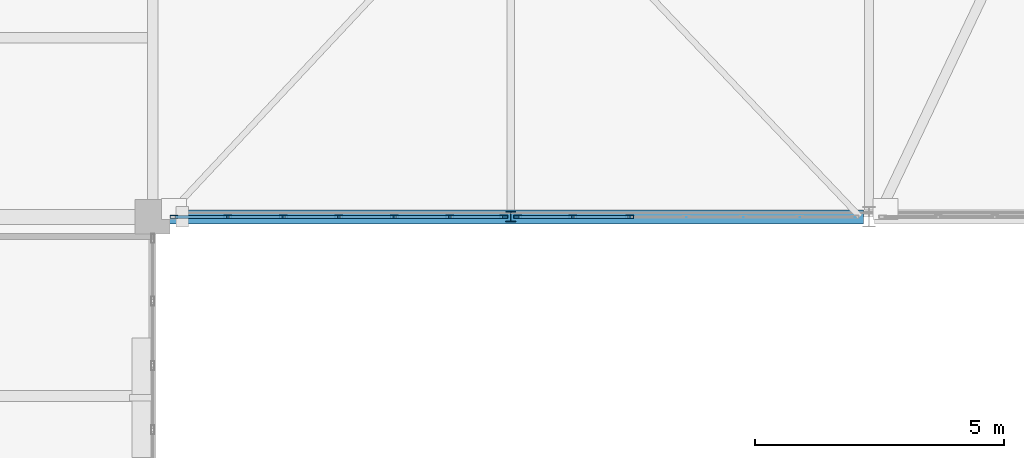
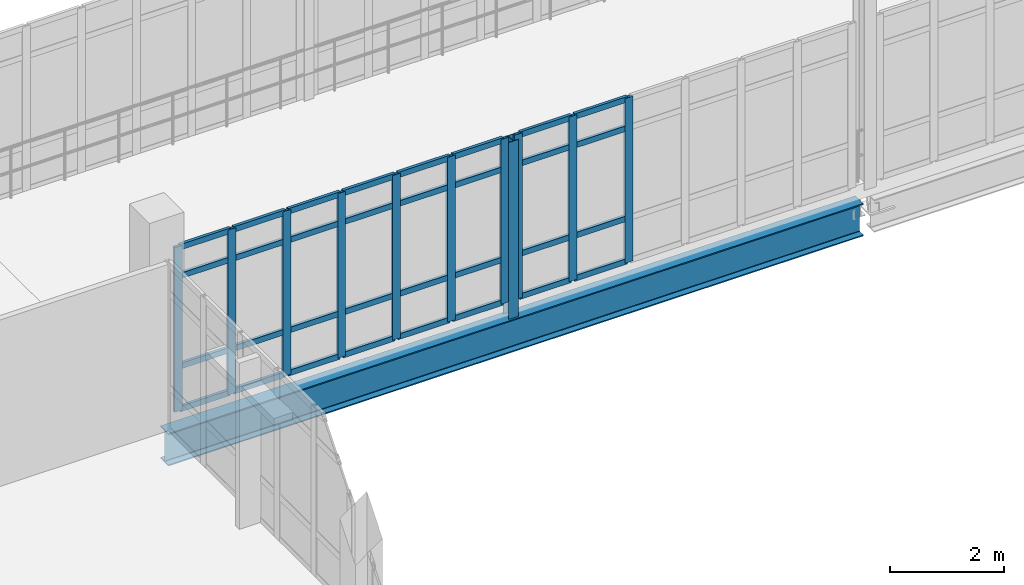
# One storey, part 14 of 116: 43 members, 1 beam, 2 elements without a shape of their own.
"""IFC4 building model written with IfcOpenShell, lengths in metres."""

from ifc_helpers import new_model, si_unit, direction, frame, origin, origin_2d, place, context, subcontext, project, spatial, hollow_rectangle, i_section, extrude, material, material_profile, profile_set, type_object, element, aggregate, save


model = new_model("IFC4")

# Units and contexts
model_context = context("Model", 3, precision=1e-05, world=origin(), true_north=direction((0.0, 1.0)))
body_context = subcontext(model_context, "Body", "Model", "MODEL_VIEW")
ifc_project = project(units=[si_unit("LENGTHUNIT", "METRE"), si_unit("AREAUNIT", "SQUARE_METRE"), si_unit("VOLUMEUNIT", "CUBIC_METRE"), si_unit("PLANEANGLEUNIT", "RADIAN"), si_unit("MASSUNIT", "GRAM", prefix="KILO")], contexts=[model_context])

# Site, building, storey
site_placement = place(None, origin())
site = spatial("IfcSite", under=ifc_project, at=site_placement, CompositionType="ELEMENT")
building_placement = place(site_placement, origin())
building = spatial("IfcBuilding", under=site, at=building_placement, Name="Kalluvel Institute of Natural Sciences", CompositionType="ELEMENT")
storey_placement = place(building_placement, frame((0.0, 0.0, 14.39990234375)))
storey = spatial("IfcBuildingStorey", under=building, at=storey_placement, Name="L03", CompositionType="ELEMENT", Elevation=14.39990234375)

# Beam
ifc_material_1 = material(Name="Steel E350 Grade 350", Category="steel")
ifc_material_profile_1 = material_profile(ifc_material_1, i_section(OverallWidth=0.280029296875, OverallDepth=0.699951171875, WebThickness=0.013916015625, FlangeThickness=0.02392578125, FilletRadius=0.01611328125, at=origin_2d()), Name="WPG 700x280")
ifc_profile_set_1 = profile_set([ifc_material_profile_1], Name="Steel E350 Grade 350")
beam_type = type_object("IfcBeamType", Name="BM-WPG700", PredefinedType="BEAM", material=ifc_profile_set_1)
beam_placement = place(storey_placement, frame((35.760009765625, 28.39990234375, -0.669921875), z_axis=(1.0, 0.0, 0.0), x_axis=(0.0, 1.0, 0.0)))
element("IfcBeam", 1, at=beam_placement, inside=storey, type_object=beam_type, Name="L03 link bridge main plate-girder chord 6", PredefinedType="BEAM", context=body_context, shape_type="SweptSolid", body=[
    extrude(i_section(OverallWidth=0.280029296875, OverallDepth=0.699951171875, WebThickness=0.013916015625, FlangeThickness=0.02392578125, FilletRadius=0.01611328125, at=origin_2d()), origin(), (0.0, 0.0, 1.0), 14.1298828125),
])

# Curtain wall, members
ifc_material_2 = material(Name="Aluminium AW-6063 T6", Category="aluminium")
curtain_wall_type = type_object("IfcCurtainWallType", Name="CW-BRG-45", PredefinedType="USERDEFINED", material=ifc_material_2)
curtain_wall_1_placement = place(storey_placement, origin())
curtain_wall_1 = element("IfcCurtainWall", 2, at=curtain_wall_1_placement, inside=storey, type_object=curtain_wall_type, Name="L03 Gothic lancet curtain wall CWA-L03-X360-Y284", ObjectType="UNITISED LANCET FACADE", PredefinedType="USERDEFINED")
ifc_material_profile_2 = material_profile(ifc_material_2, hollow_rectangle(XDim=0.06005859375, YDim=0.159912109375, WallThickness=0.00390625, at=origin_2d()), Name="CWM 60x160")
ifc_profile_set_2 = profile_set([ifc_material_profile_2], Name="Aluminium AW-6063 T6")
member_type_1 = type_object("IfcMemberType", Name="CWM-60x160", PredefinedType="MULLION", material=ifc_profile_set_2)
member_1_placement = place(storey_placement, frame((36.030029296875, 28.39990234375, 0.0), z_axis=(0.0, 0.0, 1.0), x_axis=(0.0, 1.0, 0.0)))
member_1 = element("IfcMember", 3, at=member_1_placement, type_object=member_type_1, Name="CW-07 mullion 1", PredefinedType="MULLION", context=body_context, shape_type="SweptSolid", body=[
    extrude(hollow_rectangle(XDim=0.06005859375, YDim=0.159912109375, WallThickness=0.00390625, at=origin_2d()), origin(), (0.0, 0.0, 1.0), 3.5400390625),
])
member_2_placement = place(storey_placement, frame((37.114990234375, 28.39990234375, 0.0), z_axis=(0.0, 0.0, 1.0), x_axis=(0.0, 1.0, 0.0)))
member_2 = element("IfcMember", 4, at=member_2_placement, type_object=member_type_1, Name="CW-07 mullion 2", PredefinedType="MULLION", context=body_context, shape_type="SweptSolid", body=[
    extrude(hollow_rectangle(XDim=0.06005859375, YDim=0.159912109375, WallThickness=0.00390625, at=origin_2d()), origin(), (0.0, 0.0, 1.0), 3.5400390625),
])
member_3_placement = place(storey_placement, frame((38.22998046875, 28.39990234375, 0.0), z_axis=(0.0, 0.0, 1.0), x_axis=(0.0, 1.0, 0.0)))
member_3 = element("IfcMember", 5, at=member_3_placement, type_object=member_type_1, Name="CW-07 mullion 3", PredefinedType="MULLION", context=body_context, shape_type="SweptSolid", body=[
    extrude(hollow_rectangle(XDim=0.06005859375, YDim=0.159912109375, WallThickness=0.00390625, at=origin_2d()), origin(), (0.0, 0.0, 1.0), 3.5400390625),
])
member_4_placement = place(storey_placement, frame((39.344970703125, 28.39990234375, 0.0), z_axis=(0.0, 0.0, 1.0), x_axis=(0.0, 1.0, 0.0)))
member_4 = element("IfcMember", 6, at=member_4_placement, type_object=member_type_1, Name="CW-07 mullion 4", PredefinedType="MULLION", context=body_context, shape_type="SweptSolid", body=[
    extrude(hollow_rectangle(XDim=0.06005859375, YDim=0.159912109375, WallThickness=0.00390625, at=origin_2d()), origin(), (0.0, 0.0, 1.0), 3.5400390625),
])
member_5_placement = place(storey_placement, frame((40.4599609375, 28.39990234375, 0.0), z_axis=(0.0, 0.0, 1.0), x_axis=(0.0, 1.0, 0.0)))
member_5 = element("IfcMember", 7, at=member_5_placement, type_object=member_type_1, Name="CW-07 mullion 5", PredefinedType="MULLION", context=body_context, shape_type="SweptSolid", body=[
    extrude(hollow_rectangle(XDim=0.06005859375, YDim=0.159912109375, WallThickness=0.00390625, at=origin_2d()), origin(), (0.0, 0.0, 1.0), 3.5400390625),
])
member_6_placement = place(storey_placement, frame((41.574951171875, 28.39990234375, 0.0), z_axis=(0.0, 0.0, 1.0), x_axis=(0.0, 1.0, 0.0)))
member_6 = element("IfcMember", 8, at=member_6_placement, type_object=member_type_1, Name="CW-07 mullion 6", PredefinedType="MULLION", context=body_context, shape_type="SweptSolid", body=[
    extrude(hollow_rectangle(XDim=0.06005859375, YDim=0.159912109375, WallThickness=0.00390625, at=origin_2d()), origin(), (0.0, 0.0, 1.0), 3.5400390625),
])
member_7_placement = place(storey_placement, frame((42.659912109375, 28.39990234375, 0.0), z_axis=(0.0, 0.0, 1.0), x_axis=(0.0, 1.0, 0.0)))
member_7 = element("IfcMember", 9, at=member_7_placement, type_object=member_type_1, Name="CW-07 mullion 7", PredefinedType="MULLION", context=body_context, shape_type="SweptSolid", body=[
    extrude(hollow_rectangle(XDim=0.06005859375, YDim=0.159912109375, WallThickness=0.00390625, at=origin_2d()), origin(), (0.0, 0.0, 1.0), 3.5400390625),
])

curtain_wall_2_placement = place(storey_placement, origin())
curtain_wall_2 = element("IfcCurtainWall", 10, at=curtain_wall_2_placement, inside=storey, type_object=curtain_wall_type, Name="L03 Gothic lancet curtain wall CWA-L03-X429-Y284", ObjectType="UNITISED LANCET FACADE", PredefinedType="USERDEFINED")
member_8_placement = place(storey_placement, frame((42.93994140625, 28.39990234375, 0.0), z_axis=(0.0, 0.0, 1.0), x_axis=(0.0, 1.0, 0.0)))
member_8 = element("IfcMember", 11, at=member_8_placement, type_object=member_type_1, Name="CW-07 mullion 1", PredefinedType="MULLION", context=body_context, shape_type="SweptSolid", body=[
    extrude(hollow_rectangle(XDim=0.06005859375, YDim=0.159912109375, WallThickness=0.00390625, at=origin_2d()), origin(), (0.0, 0.0, 1.0), 3.5400390625),
])
member_9_placement = place(storey_placement, frame((44.050048828125, 28.39990234375, 0.0), z_axis=(0.0, 0.0, 1.0), x_axis=(0.0, 1.0, 0.0)))
member_9 = element("IfcMember", 12, at=member_9_placement, type_object=member_type_1, Name="CW-07 mullion 2", PredefinedType="MULLION", context=body_context, shape_type="SweptSolid", body=[
    extrude(hollow_rectangle(XDim=0.06005859375, YDim=0.159912109375, WallThickness=0.00390625, at=origin_2d()), origin(), (0.0, 0.0, 1.0), 3.5400390625),
])
member_10_placement = place(storey_placement, frame((45.18994140625, 28.39990234375, 0.0), z_axis=(0.0, 0.0, 1.0), x_axis=(0.0, 1.0, 0.0)))
member_10 = element("IfcMember", 13, at=member_10_placement, type_object=member_type_1, Name="CW-07 mullion 3", PredefinedType="MULLION", context=body_context, shape_type="SweptSolid", body=[
    extrude(hollow_rectangle(XDim=0.06005859375, YDim=0.159912109375, WallThickness=0.00390625, at=origin_2d()), origin(), (0.0, 0.0, 1.0), 3.5400390625),
])

# Member
ifc_material_profile_3 = material_profile(ifc_material_2, hollow_rectangle(XDim=0.06005859375, YDim=0.1201171875, WallThickness=0.00390625, at=origin_2d()), Name="CWT 60x120")
ifc_profile_set_3 = profile_set([ifc_material_profile_3], Name="Aluminium AW-6063 T6")
member_type_2 = type_object("IfcMemberType", Name="CWT-60x120", PredefinedType="USERDEFINED", material=ifc_profile_set_3)
member_11_placement = place(storey_placement, frame((36.06005859375, 28.39990234375, 0.030029296875), z_axis=(1.0, 0.0, 0.0), x_axis=(0.0, 1.0, 0.0)))
member_11 = element("IfcMember", 14, at=member_11_placement, type_object=member_type_2, Name="CW-07 transom 1.1", ObjectType="TRANSOM", PredefinedType="USERDEFINED", context=body_context, shape_type="SweptSolid", body=[
    extrude(hollow_rectangle(XDim=0.06005859375, YDim=0.1201171875, WallThickness=0.00390625, at=origin_2d()), origin(), (0.0, 0.0, 1.0), 1.02490234375),
])

member_12_placement = place(storey_placement, frame((36.06005859375, 28.39990234375, 0.9501953125), z_axis=(1.0, 0.0, 0.0), x_axis=(0.0, 1.0, 0.0)))
member_12 = element("IfcMember", 15, at=member_12_placement, type_object=member_type_2, Name="CW-07 transom 1.2", ObjectType="TRANSOM", PredefinedType="USERDEFINED", context=body_context, shape_type="SweptSolid", body=[
    extrude(hollow_rectangle(XDim=0.06005859375, YDim=0.1201171875, WallThickness=0.00390625, at=origin_2d()), origin(), (0.0, 0.0, 1.0), 1.02490234375),
])

member_13_placement = place(storey_placement, frame((36.06005859375, 28.39990234375, 2.89013671875), z_axis=(1.0, 0.0, 0.0), x_axis=(0.0, 1.0, 0.0)))
member_13 = element("IfcMember", 16, at=member_13_placement, type_object=member_type_2, Name="CW-07 transom 1.3", ObjectType="TRANSOM", PredefinedType="USERDEFINED", context=body_context, shape_type="SweptSolid", body=[
    extrude(hollow_rectangle(XDim=0.06005859375, YDim=0.1201171875, WallThickness=0.00390625, at=origin_2d()), origin(), (0.0, 0.0, 1.0), 1.02490234375),
])

member_14_placement = place(storey_placement, frame((36.06005859375, 28.39990234375, 3.510009765625), z_axis=(1.0, 0.0, 0.0), x_axis=(0.0, 1.0, 0.0)))
member_14 = element("IfcMember", 17, at=member_14_placement, type_object=member_type_2, Name="CW-07 transom 1.4", ObjectType="TRANSOM", PredefinedType="USERDEFINED", context=body_context, shape_type="SweptSolid", body=[
    extrude(hollow_rectangle(XDim=0.06005859375, YDim=0.1201171875, WallThickness=0.00390625, at=origin_2d()), origin(), (0.0, 0.0, 1.0), 1.02490234375),
])

member_15_placement = place(storey_placement, frame((37.14501953125, 28.39990234375, 0.030029296875), z_axis=(1.0, 0.0, 0.0), x_axis=(0.0, 1.0, 0.0)))
member_15 = element("IfcMember", 18, at=member_15_placement, type_object=member_type_2, Name="CW-07 transom 2.1", ObjectType="TRANSOM", PredefinedType="USERDEFINED", context=body_context, shape_type="SweptSolid", body=[
    extrude(hollow_rectangle(XDim=0.06005859375, YDim=0.1201171875, WallThickness=0.00390625, at=origin_2d()), origin(), (0.0, 0.0, 1.0), 1.054931640625),
])

member_16_placement = place(storey_placement, frame((37.14501953125, 28.39990234375, 0.9501953125), z_axis=(1.0, 0.0, 0.0), x_axis=(0.0, 1.0, 0.0)))
member_16 = element("IfcMember", 19, at=member_16_placement, type_object=member_type_2, Name="CW-07 transom 2.2", ObjectType="TRANSOM", PredefinedType="USERDEFINED", context=body_context, shape_type="SweptSolid", body=[
    extrude(hollow_rectangle(XDim=0.06005859375, YDim=0.1201171875, WallThickness=0.00390625, at=origin_2d()), origin(), (0.0, 0.0, 1.0), 1.054931640625),
])

member_17_placement = place(storey_placement, frame((37.14501953125, 28.39990234375, 2.89013671875), z_axis=(1.0, 0.0, 0.0), x_axis=(0.0, 1.0, 0.0)))
member_17 = element("IfcMember", 20, at=member_17_placement, type_object=member_type_2, Name="CW-07 transom 2.3", ObjectType="TRANSOM", PredefinedType="USERDEFINED", context=body_context, shape_type="SweptSolid", body=[
    extrude(hollow_rectangle(XDim=0.06005859375, YDim=0.1201171875, WallThickness=0.00390625, at=origin_2d()), origin(), (0.0, 0.0, 1.0), 1.054931640625),
])

member_18_placement = place(storey_placement, frame((37.14501953125, 28.39990234375, 3.510009765625), z_axis=(1.0, 0.0, 0.0), x_axis=(0.0, 1.0, 0.0)))
member_18 = element("IfcMember", 21, at=member_18_placement, type_object=member_type_2, Name="CW-07 transom 2.4", ObjectType="TRANSOM", PredefinedType="USERDEFINED", context=body_context, shape_type="SweptSolid", body=[
    extrude(hollow_rectangle(XDim=0.06005859375, YDim=0.1201171875, WallThickness=0.00390625, at=origin_2d()), origin(), (0.0, 0.0, 1.0), 1.054931640625),
])

member_19_placement = place(storey_placement, frame((38.260009765625, 28.39990234375, 0.030029296875), z_axis=(1.0, 0.0, 0.0), x_axis=(0.0, 1.0, 0.0)))
member_19 = element("IfcMember", 22, at=member_19_placement, type_object=member_type_2, Name="CW-07 transom 3.1", ObjectType="TRANSOM", PredefinedType="USERDEFINED", context=body_context, shape_type="SweptSolid", body=[
    extrude(hollow_rectangle(XDim=0.06005859375, YDim=0.1201171875, WallThickness=0.00390625, at=origin_2d()), origin(), (0.0, 0.0, 1.0), 1.054931640625),
])

member_20_placement = place(storey_placement, frame((38.260009765625, 28.39990234375, 0.9501953125), z_axis=(1.0, 0.0, 0.0), x_axis=(0.0, 1.0, 0.0)))
member_20 = element("IfcMember", 23, at=member_20_placement, type_object=member_type_2, Name="CW-07 transom 3.2", ObjectType="TRANSOM", PredefinedType="USERDEFINED", context=body_context, shape_type="SweptSolid", body=[
    extrude(hollow_rectangle(XDim=0.06005859375, YDim=0.1201171875, WallThickness=0.00390625, at=origin_2d()), origin(), (0.0, 0.0, 1.0), 1.054931640625),
])

member_21_placement = place(storey_placement, frame((38.260009765625, 28.39990234375, 2.89013671875), z_axis=(1.0, 0.0, 0.0), x_axis=(0.0, 1.0, 0.0)))
member_21 = element("IfcMember", 24, at=member_21_placement, type_object=member_type_2, Name="CW-07 transom 3.3", ObjectType="TRANSOM", PredefinedType="USERDEFINED", context=body_context, shape_type="SweptSolid", body=[
    extrude(hollow_rectangle(XDim=0.06005859375, YDim=0.1201171875, WallThickness=0.00390625, at=origin_2d()), origin(), (0.0, 0.0, 1.0), 1.054931640625),
])

member_22_placement = place(storey_placement, frame((38.260009765625, 28.39990234375, 3.510009765625), z_axis=(1.0, 0.0, 0.0), x_axis=(0.0, 1.0, 0.0)))
member_22 = element("IfcMember", 25, at=member_22_placement, type_object=member_type_2, Name="CW-07 transom 3.4", ObjectType="TRANSOM", PredefinedType="USERDEFINED", context=body_context, shape_type="SweptSolid", body=[
    extrude(hollow_rectangle(XDim=0.06005859375, YDim=0.1201171875, WallThickness=0.00390625, at=origin_2d()), origin(), (0.0, 0.0, 1.0), 1.054931640625),
])

member_23_placement = place(storey_placement, frame((39.375, 28.39990234375, 0.030029296875), z_axis=(1.0, 0.0, 0.0), x_axis=(0.0, 1.0, 0.0)))
member_23 = element("IfcMember", 26, at=member_23_placement, type_object=member_type_2, Name="CW-07 transom 4.1", ObjectType="TRANSOM", PredefinedType="USERDEFINED", context=body_context, shape_type="SweptSolid", body=[
    extrude(hollow_rectangle(XDim=0.06005859375, YDim=0.1201171875, WallThickness=0.00390625, at=origin_2d()), origin(), (0.0, 0.0, 1.0), 1.054931640625),
])

member_24_placement = place(storey_placement, frame((39.375, 28.39990234375, 0.9501953125), z_axis=(1.0, 0.0, 0.0), x_axis=(0.0, 1.0, 0.0)))
member_24 = element("IfcMember", 27, at=member_24_placement, type_object=member_type_2, Name="CW-07 transom 4.2", ObjectType="TRANSOM", PredefinedType="USERDEFINED", context=body_context, shape_type="SweptSolid", body=[
    extrude(hollow_rectangle(XDim=0.06005859375, YDim=0.1201171875, WallThickness=0.00390625, at=origin_2d()), origin(), (0.0, 0.0, 1.0), 1.054931640625),
])

member_25_placement = place(storey_placement, frame((39.375, 28.39990234375, 2.89013671875), z_axis=(1.0, 0.0, 0.0), x_axis=(0.0, 1.0, 0.0)))
member_25 = element("IfcMember", 28, at=member_25_placement, type_object=member_type_2, Name="CW-07 transom 4.3", ObjectType="TRANSOM", PredefinedType="USERDEFINED", context=body_context, shape_type="SweptSolid", body=[
    extrude(hollow_rectangle(XDim=0.06005859375, YDim=0.1201171875, WallThickness=0.00390625, at=origin_2d()), origin(), (0.0, 0.0, 1.0), 1.054931640625),
])

member_26_placement = place(storey_placement, frame((39.375, 28.39990234375, 3.510009765625), z_axis=(1.0, 0.0, 0.0), x_axis=(0.0, 1.0, 0.0)))
member_26 = element("IfcMember", 29, at=member_26_placement, type_object=member_type_2, Name="CW-07 transom 4.4", ObjectType="TRANSOM", PredefinedType="USERDEFINED", context=body_context, shape_type="SweptSolid", body=[
    extrude(hollow_rectangle(XDim=0.06005859375, YDim=0.1201171875, WallThickness=0.00390625, at=origin_2d()), origin(), (0.0, 0.0, 1.0), 1.054931640625),
])

member_27_placement = place(storey_placement, frame((40.489990234375, 28.39990234375, 0.030029296875), z_axis=(1.0, 0.0, 0.0), x_axis=(0.0, 1.0, 0.0)))
member_27 = element("IfcMember", 30, at=member_27_placement, type_object=member_type_2, Name="CW-07 transom 5.1", ObjectType="TRANSOM", PredefinedType="USERDEFINED", context=body_context, shape_type="SweptSolid", body=[
    extrude(hollow_rectangle(XDim=0.06005859375, YDim=0.1201171875, WallThickness=0.00390625, at=origin_2d()), origin(), (0.0, 0.0, 1.0), 1.054931640625),
])

member_28_placement = place(storey_placement, frame((40.489990234375, 28.39990234375, 0.9501953125), z_axis=(1.0, 0.0, 0.0), x_axis=(0.0, 1.0, 0.0)))
member_28 = element("IfcMember", 31, at=member_28_placement, type_object=member_type_2, Name="CW-07 transom 5.2", ObjectType="TRANSOM", PredefinedType="USERDEFINED", context=body_context, shape_type="SweptSolid", body=[
    extrude(hollow_rectangle(XDim=0.06005859375, YDim=0.1201171875, WallThickness=0.00390625, at=origin_2d()), origin(), (0.0, 0.0, 1.0), 1.054931640625),
])

member_29_placement = place(storey_placement, frame((40.489990234375, 28.39990234375, 2.89013671875), z_axis=(1.0, 0.0, 0.0), x_axis=(0.0, 1.0, 0.0)))
member_29 = element("IfcMember", 32, at=member_29_placement, type_object=member_type_2, Name="CW-07 transom 5.3", ObjectType="TRANSOM", PredefinedType="USERDEFINED", context=body_context, shape_type="SweptSolid", body=[
    extrude(hollow_rectangle(XDim=0.06005859375, YDim=0.1201171875, WallThickness=0.00390625, at=origin_2d()), origin(), (0.0, 0.0, 1.0), 1.054931640625),
])

member_30_placement = place(storey_placement, frame((40.489990234375, 28.39990234375, 3.510009765625), z_axis=(1.0, 0.0, 0.0), x_axis=(0.0, 1.0, 0.0)))
member_30 = element("IfcMember", 33, at=member_30_placement, type_object=member_type_2, Name="CW-07 transom 5.4", ObjectType="TRANSOM", PredefinedType="USERDEFINED", context=body_context, shape_type="SweptSolid", body=[
    extrude(hollow_rectangle(XDim=0.06005859375, YDim=0.1201171875, WallThickness=0.00390625, at=origin_2d()), origin(), (0.0, 0.0, 1.0), 1.054931640625),
])

member_31_placement = place(storey_placement, frame((41.60498046875, 28.39990234375, 0.030029296875), z_axis=(1.0, 0.0, 0.0), x_axis=(0.0, 1.0, 0.0)))
member_31 = element("IfcMember", 34, at=member_31_placement, type_object=member_type_2, Name="CW-07 transom 6.1", ObjectType="TRANSOM", PredefinedType="USERDEFINED", context=body_context, shape_type="SweptSolid", body=[
    extrude(hollow_rectangle(XDim=0.06005859375, YDim=0.1201171875, WallThickness=0.00390625, at=origin_2d()), origin(), (0.0, 0.0, 1.0), 1.02490234375),
])

member_32_placement = place(storey_placement, frame((41.60498046875, 28.39990234375, 0.9501953125), z_axis=(1.0, 0.0, 0.0), x_axis=(0.0, 1.0, 0.0)))
member_32 = element("IfcMember", 35, at=member_32_placement, type_object=member_type_2, Name="CW-07 transom 6.2", ObjectType="TRANSOM", PredefinedType="USERDEFINED", context=body_context, shape_type="SweptSolid", body=[
    extrude(hollow_rectangle(XDim=0.06005859375, YDim=0.1201171875, WallThickness=0.00390625, at=origin_2d()), origin(), (0.0, 0.0, 1.0), 1.02490234375),
])

member_33_placement = place(storey_placement, frame((41.60498046875, 28.39990234375, 2.89013671875), z_axis=(1.0, 0.0, 0.0), x_axis=(0.0, 1.0, 0.0)))
member_33 = element("IfcMember", 36, at=member_33_placement, type_object=member_type_2, Name="CW-07 transom 6.3", ObjectType="TRANSOM", PredefinedType="USERDEFINED", context=body_context, shape_type="SweptSolid", body=[
    extrude(hollow_rectangle(XDim=0.06005859375, YDim=0.1201171875, WallThickness=0.00390625, at=origin_2d()), origin(), (0.0, 0.0, 1.0), 1.02490234375),
])

member_34_placement = place(storey_placement, frame((41.60498046875, 28.39990234375, 3.510009765625), z_axis=(1.0, 0.0, 0.0), x_axis=(0.0, 1.0, 0.0)))
member_34 = element("IfcMember", 37, at=member_34_placement, type_object=member_type_2, Name="CW-07 transom 6.4", ObjectType="TRANSOM", PredefinedType="USERDEFINED", context=body_context, shape_type="SweptSolid", body=[
    extrude(hollow_rectangle(XDim=0.06005859375, YDim=0.1201171875, WallThickness=0.00390625, at=origin_2d()), origin(), (0.0, 0.0, 1.0), 1.02490234375),
])

aggregate(curtain_wall_1, [member_1, member_2, member_3, member_4, member_5, member_6, member_7, member_11, member_12, member_13, member_14, member_15, member_16, member_17, member_18, member_19, member_20, member_21, member_22, member_23, member_24, member_25, member_26, member_27, member_28, member_29, member_30, member_31, member_32, member_33, member_34])

member_35_placement = place(storey_placement, frame((42.969970703125, 28.39990234375, 0.030029296875), z_axis=(1.0, 0.0, 0.0), x_axis=(0.0, 1.0, 0.0)))
member_35 = element("IfcMember", 38, at=member_35_placement, type_object=member_type_2, Name="CW-07 transom 1.1", ObjectType="TRANSOM", PredefinedType="USERDEFINED", context=body_context, shape_type="SweptSolid", body=[
    extrude(hollow_rectangle(XDim=0.06005859375, YDim=0.1201171875, WallThickness=0.00390625, at=origin_2d()), origin(), (0.0, 0.0, 1.0), 1.050048828125),
])

member_36_placement = place(storey_placement, frame((42.969970703125, 28.39990234375, 0.9501953125), z_axis=(1.0, 0.0, 0.0), x_axis=(0.0, 1.0, 0.0)))
member_36 = element("IfcMember", 39, at=member_36_placement, type_object=member_type_2, Name="CW-07 transom 1.2", ObjectType="TRANSOM", PredefinedType="USERDEFINED", context=body_context, shape_type="SweptSolid", body=[
    extrude(hollow_rectangle(XDim=0.06005859375, YDim=0.1201171875, WallThickness=0.00390625, at=origin_2d()), origin(), (0.0, 0.0, 1.0), 1.050048828125),
])

member_37_placement = place(storey_placement, frame((42.969970703125, 28.39990234375, 2.89013671875), z_axis=(1.0, 0.0, 0.0), x_axis=(0.0, 1.0, 0.0)))
member_37 = element("IfcMember", 40, at=member_37_placement, type_object=member_type_2, Name="CW-07 transom 1.3", ObjectType="TRANSOM", PredefinedType="USERDEFINED", context=body_context, shape_type="SweptSolid", body=[
    extrude(hollow_rectangle(XDim=0.06005859375, YDim=0.1201171875, WallThickness=0.00390625, at=origin_2d()), origin(), (0.0, 0.0, 1.0), 1.050048828125),
])

member_38_placement = place(storey_placement, frame((42.969970703125, 28.39990234375, 3.510009765625), z_axis=(1.0, 0.0, 0.0), x_axis=(0.0, 1.0, 0.0)))
member_38 = element("IfcMember", 41, at=member_38_placement, type_object=member_type_2, Name="CW-07 transom 1.4", ObjectType="TRANSOM", PredefinedType="USERDEFINED", context=body_context, shape_type="SweptSolid", body=[
    extrude(hollow_rectangle(XDim=0.06005859375, YDim=0.1201171875, WallThickness=0.00390625, at=origin_2d()), origin(), (0.0, 0.0, 1.0), 1.050048828125),
])

member_39_placement = place(storey_placement, frame((44.080078125, 28.39990234375, 0.030029296875), z_axis=(1.0, 0.0, 0.0), x_axis=(0.0, 1.0, 0.0)))
member_39 = element("IfcMember", 42, at=member_39_placement, type_object=member_type_2, Name="CW-07 transom 2.1", ObjectType="TRANSOM", PredefinedType="USERDEFINED", context=body_context, shape_type="SweptSolid", body=[
    extrude(hollow_rectangle(XDim=0.06005859375, YDim=0.1201171875, WallThickness=0.00390625, at=origin_2d()), origin(), (0.0, 0.0, 1.0), 1.079833984375),
])

member_40_placement = place(storey_placement, frame((44.080078125, 28.39990234375, 0.9501953125), z_axis=(1.0, 0.0, 0.0), x_axis=(0.0, 1.0, 0.0)))
member_40 = element("IfcMember", 43, at=member_40_placement, type_object=member_type_2, Name="CW-07 transom 2.2", ObjectType="TRANSOM", PredefinedType="USERDEFINED", context=body_context, shape_type="SweptSolid", body=[
    extrude(hollow_rectangle(XDim=0.06005859375, YDim=0.1201171875, WallThickness=0.00390625, at=origin_2d()), origin(), (0.0, 0.0, 1.0), 1.079833984375),
])

member_41_placement = place(storey_placement, frame((44.080078125, 28.39990234375, 2.89013671875), z_axis=(1.0, 0.0, 0.0), x_axis=(0.0, 1.0, 0.0)))
member_41 = element("IfcMember", 44, at=member_41_placement, type_object=member_type_2, Name="CW-07 transom 2.3", ObjectType="TRANSOM", PredefinedType="USERDEFINED", context=body_context, shape_type="SweptSolid", body=[
    extrude(hollow_rectangle(XDim=0.06005859375, YDim=0.1201171875, WallThickness=0.00390625, at=origin_2d()), origin(), (0.0, 0.0, 1.0), 1.079833984375),
])

member_42_placement = place(storey_placement, frame((44.080078125, 28.39990234375, 3.510009765625), z_axis=(1.0, 0.0, 0.0), x_axis=(0.0, 1.0, 0.0)))
member_42 = element("IfcMember", 45, at=member_42_placement, type_object=member_type_2, Name="CW-07 transom 2.4", ObjectType="TRANSOM", PredefinedType="USERDEFINED", context=body_context, shape_type="SweptSolid", body=[
    extrude(hollow_rectangle(XDim=0.06005859375, YDim=0.1201171875, WallThickness=0.00390625, at=origin_2d()), origin(), (0.0, 0.0, 1.0), 1.079833984375),
])

aggregate(curtain_wall_2, [member_8, member_9, member_10, member_35, member_36, member_37, member_38, member_39, member_40, member_41, member_42])

ifc_material_profile_4 = material_profile(ifc_material_1, i_section(OverallWidth=0.199951171875, OverallDepth=0.199951171875, WebThickness=0.0078125, FlangeThickness=0.009033203125, FilletRadius=0.009033203125, at=origin_2d()), Name="ISHB 200")
ifc_profile_set_4 = profile_set([ifc_material_profile_4], Name="Steel E350 Grade 350")
member_type_3 = type_object("IfcMemberType", Name="MB-ST-ISHB200", PredefinedType="STRUT", material=ifc_profile_set_4)
member_43_placement = place(storey_placement, frame((42.800048828125, 28.39990234375, -0.31982421875), z_axis=(0.0, 0.0, 1.0), x_axis=(1.0, 0.0, 0.0)))
element("IfcMember", 46, at=member_43_placement, inside=storey, type_object=member_type_3, Name="Glazed link bridge truss post 20", PredefinedType="STRUT", context=body_context, shape_type="SweptSolid", body=[
    extrude(i_section(OverallWidth=0.199951171875, OverallDepth=0.199951171875, WebThickness=0.0078125, FlangeThickness=0.009033203125, FilletRadius=0.009033203125, at=origin_2d()), origin(), (0.0, 0.0, 1.0), 3.7998046875),
])

save(model, "model.ifc")
